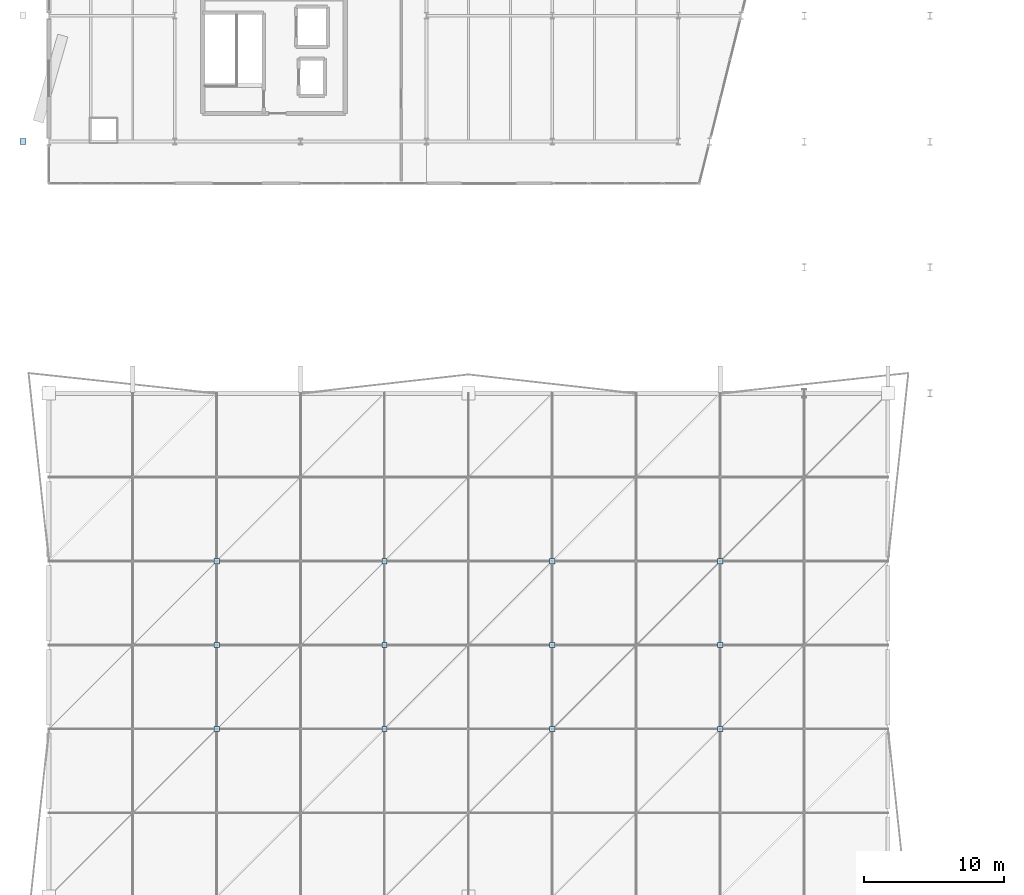
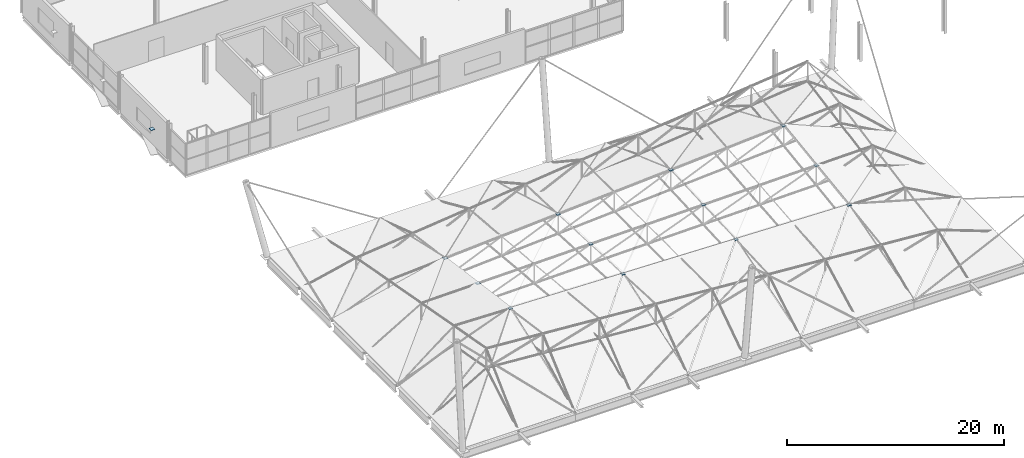
# One storey, part 105 of 132: 13 plates.
"""IFC4 building model written with IfcOpenShell, lengths in metres."""

from ifc_helpers import new_model, si_unit, direction, frame, origin, origin_2d, place, context, subcontext, project, spatial, rectangle, extrude, material, layer, layer_set, type_object, element, save


model = new_model("IFC4")

# Units and contexts
model_context = context("Model", 3, precision=1e-05, world=origin(), true_north=direction((0.0, 1.0)))
body_context = subcontext(model_context, "Body", "Model", "MODEL_VIEW")
ifc_project = project(units=[si_unit("LENGTHUNIT", "METRE"), si_unit("AREAUNIT", "SQUARE_METRE"), si_unit("VOLUMEUNIT", "CUBIC_METRE"), si_unit("PLANEANGLEUNIT", "RADIAN"), si_unit("MASSUNIT", "GRAM", prefix="KILO")], contexts=[model_context])

# Site, building, storey
site_placement = place(None, origin())
site = spatial("IfcSite", under=ifc_project, at=site_placement, CompositionType="ELEMENT")
building_placement = place(site_placement, origin())
building = spatial("IfcBuilding", under=site, at=building_placement, Name="Deido Ridge Mobility Hub", CompositionType="ELEMENT")
storey_placement = place(building_placement, frame((0.0, 0.0, 8.39990234375)))
storey = spatial("IfcBuildingStorey", under=building, at=storey_placement, Name="L02", CompositionType="ELEMENT", Elevation=8.39990234375)

# Plates
ifc_material = material(Name="Steel S355J2 EN 10025-2", Category="steel")
ifc_layer_1 = layer(ifc_material, 0.01611328125, Name="Steel S355J2 EN 10025-2")
ifc_layer_set_1 = layer_set([ifc_layer_1], Name="Steel S355J2 EN 10025-2")
plate_type_1 = type_object("IfcPlateType", Name="PLT-CAP-16", PredefinedType="USERDEFINED", material=ifc_layer_set_1)
for number, where, z_axis, x_axis, name in (
    (1, (12.0, 18.0, 3.712158203125), (0.0, 0.0, 1.0), (1.0, 0.0, 0.0), "Cable-net clamp node plate"),
    (2, (36.0, 18.0, 4.152099609375), (0.0, 0.0, 1.0), (1.0, 0.0, 0.0), "Cable-net clamp node plate"),
):
    element("IfcPlate", number, at=place(storey_placement, frame(where, z_axis=z_axis, x_axis=x_axis)), inside=storey, type_object=plate_type_1, Name=name, ObjectType="END CAP PLATE", PredefinedType="USERDEFINED", context=body_context, shape_type="SweptSolid", body=[
        extrude(rectangle(XDim=0.3798828125, YDim=0.3798828125, at=origin_2d()), origin(), (0.0, 0.0, 1.0), 0.01611328125),
    ])
ifc_layer_2 = layer(ifc_material, 0.02197265625, Name="Steel S355J2 EN 10025-2")
ifc_layer_set_2 = layer_set([ifc_layer_2], Name="Steel S355J2 EN 10025-2")
plate_type_2 = type_object("IfcPlateType", Name="PLT-CAP-22", PredefinedType="USERDEFINED", material=ifc_layer_set_2)
for number, where, z_axis, x_axis, name in (
    (3, (12.0, 24.0, 2.88916015625), (0.0, 0.0, 1.0), (1.0, 0.0, 0.0), "Cable-net clamp node plate"),
    (4, (36.0, 24.0, 4.42236328125), (0.0, 0.0, 1.0), (1.0, 0.0, 0.0), "Cable-net clamp node plate"),
):
    element("IfcPlate", number, at=place(storey_placement, frame(where, z_axis=z_axis, x_axis=x_axis)), inside=storey, type_object=plate_type_2, Name=name, ObjectType="END CAP PLATE", PredefinedType="USERDEFINED", context=body_context, shape_type="SweptSolid", body=[
        extrude(rectangle(XDim=0.3798828125, YDim=0.3798828125, at=origin_2d()), origin(), (0.0, 0.0, 1.0), 0.02197265625),
    ])
ifc_layer_3 = layer(ifc_material, 0.02490234375, Name="Steel S355J2 EN 10025-2")
ifc_layer_set_3 = layer_set([ifc_layer_3], Name="Steel S355J2 EN 10025-2")
plate_type_3 = type_object("IfcPlateType", Name="PLT-CAP-25", PredefinedType="USERDEFINED", material=ifc_layer_set_3)
plate_placement = place(storey_placement, frame((-1.85009765625, 54.0, 4.0576171875), z_axis=(0.0, 0.0, 1.0), x_axis=(1.0, 0.0, 0.0)))
element("IfcPlate", 5, at=plate_placement, inside=storey, type_object=plate_type_3, Name="Exoskeleton node cap plate EC3 121", ObjectType="END CAP PLATE", PredefinedType="USERDEFINED", context=body_context, shape_type="SweptSolid", body=[
    extrude(rectangle(XDim=0.419921875, YDim=0.419921875, at=origin_2d()), origin(), (0.0, 0.0, 1.0), 0.02490234375),
])
for number, where, z_axis, x_axis, name in (
    (6, (24.0, 12.0, 4.200927734375), (0.0, 0.0, 1.0), (1.0, 0.0, 0.0), "Cable-net clamp node plate"),
    (7, (48.0, 12.0, 3.547607421875), (0.0, 0.0, 1.0), (1.0, 0.0, 0.0), "Cable-net clamp node plate"),
):
    element("IfcPlate", number, at=place(storey_placement, frame(where, z_axis=z_axis, x_axis=x_axis)), inside=storey, type_object=plate_type_3, Name=name, ObjectType="END CAP PLATE", PredefinedType="USERDEFINED", context=body_context, shape_type="SweptSolid", body=[
        extrude(rectangle(XDim=0.3798828125, YDim=0.3798828125, at=origin_2d()), origin(), (0.0, 0.0, 1.0), 0.02490234375),
    ])
ifc_layer_4 = layer(ifc_material, 0.02001953125, Name="Steel S355J2 EN 10025-2")
ifc_layer_set_4 = layer_set([ifc_layer_4], Name="Steel S355J2 EN 10025-2")
plate_type_4 = type_object("IfcPlateType", Name="PLT-GUS-20", PredefinedType="USERDEFINED", material=ifc_layer_set_4)
for number, where, z_axis, x_axis, name in (
    (8, (24.0, 18.0, 3.93017578125), (0.0, 0.0, 1.0), (1.0, 0.0, 0.0), "Cable-net clamp node plate"),
    (9, (48.0, 18.0, 4.3701171875), (0.0, 0.0, 1.0), (1.0, 0.0, 0.0), "Cable-net clamp node plate"),
):
    element("IfcPlate", number, at=place(storey_placement, frame(where, z_axis=z_axis, x_axis=x_axis)), inside=storey, type_object=plate_type_4, Name=name, ObjectType="GUSSET PLATE", PredefinedType="USERDEFINED", context=body_context, shape_type="SweptSolid", body=[
        extrude(rectangle(XDim=0.3798828125, YDim=0.3798828125, at=origin_2d()), origin(), (0.0, 0.0, 1.0), 0.02001953125),
    ])
ifc_layer_5 = layer(ifc_material, 0.028076171875, Name="Steel S355J2 EN 10025-2")
ifc_layer_set_5 = layer_set([ifc_layer_5], Name="Steel S355J2 EN 10025-2")
plate_type_5 = type_object("IfcPlateType", Name="PLT-GUS-28", PredefinedType="USERDEFINED", material=ifc_layer_set_5)
for number, where, z_axis, x_axis, name in (
    (10, (24.0, 24.0, 3.65283203125), (0.0, 0.0, 1.0), (1.0, 0.0, 0.0), "Cable-net clamp node plate"),
    (11, (48.0, 24.0, 5.18603515625), (0.0, 0.0, 1.0), (1.0, 0.0, 0.0), "Cable-net clamp node plate"),
):
    element("IfcPlate", number, at=place(storey_placement, frame(where, z_axis=z_axis, x_axis=x_axis)), inside=storey, type_object=plate_type_5, Name=name, ObjectType="GUSSET PLATE", PredefinedType="USERDEFINED", context=body_context, shape_type="SweptSolid", body=[
        extrude(rectangle(XDim=0.3798828125, YDim=0.3798828125, at=origin_2d()), origin(), (0.0, 0.0, 1.0), 0.028076171875),
    ])
ifc_layer_6 = layer(ifc_material, 0.031982421875, Name="Steel S355J2 EN 10025-2")
ifc_layer_set_6 = layer_set([ifc_layer_6], Name="Steel S355J2 EN 10025-2")
plate_type_6 = type_object("IfcPlateType", Name="PLT-GUS-32", PredefinedType="USERDEFINED", material=ifc_layer_set_6)
for number, where, z_axis, x_axis, name in (
    (12, (12.0, 12.0, 4.52392578125), (0.0, 0.0, 1.0), (1.0, 0.0, 0.0), "Cable-net clamp node plate"),
    (13, (36.0, 12.0, 3.87060546875), (0.0, 0.0, 1.0), (1.0, 0.0, 0.0), "Cable-net clamp node plate"),
):
    element("IfcPlate", number, at=place(storey_placement, frame(where, z_axis=z_axis, x_axis=x_axis)), inside=storey, type_object=plate_type_6, Name=name, ObjectType="GUSSET PLATE", PredefinedType="USERDEFINED", context=body_context, shape_type="SweptSolid", body=[
        extrude(rectangle(XDim=0.3798828125, YDim=0.3798828125, at=origin_2d()), origin(), (0.0, 0.0, 1.0), 0.031982421875),
    ])

save(model, "model.ifc")
